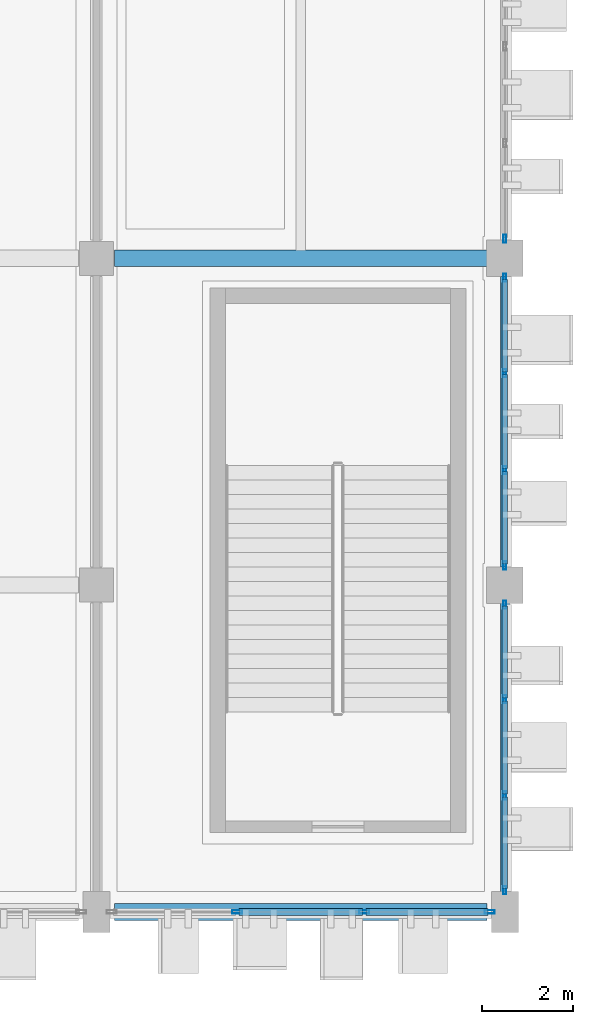
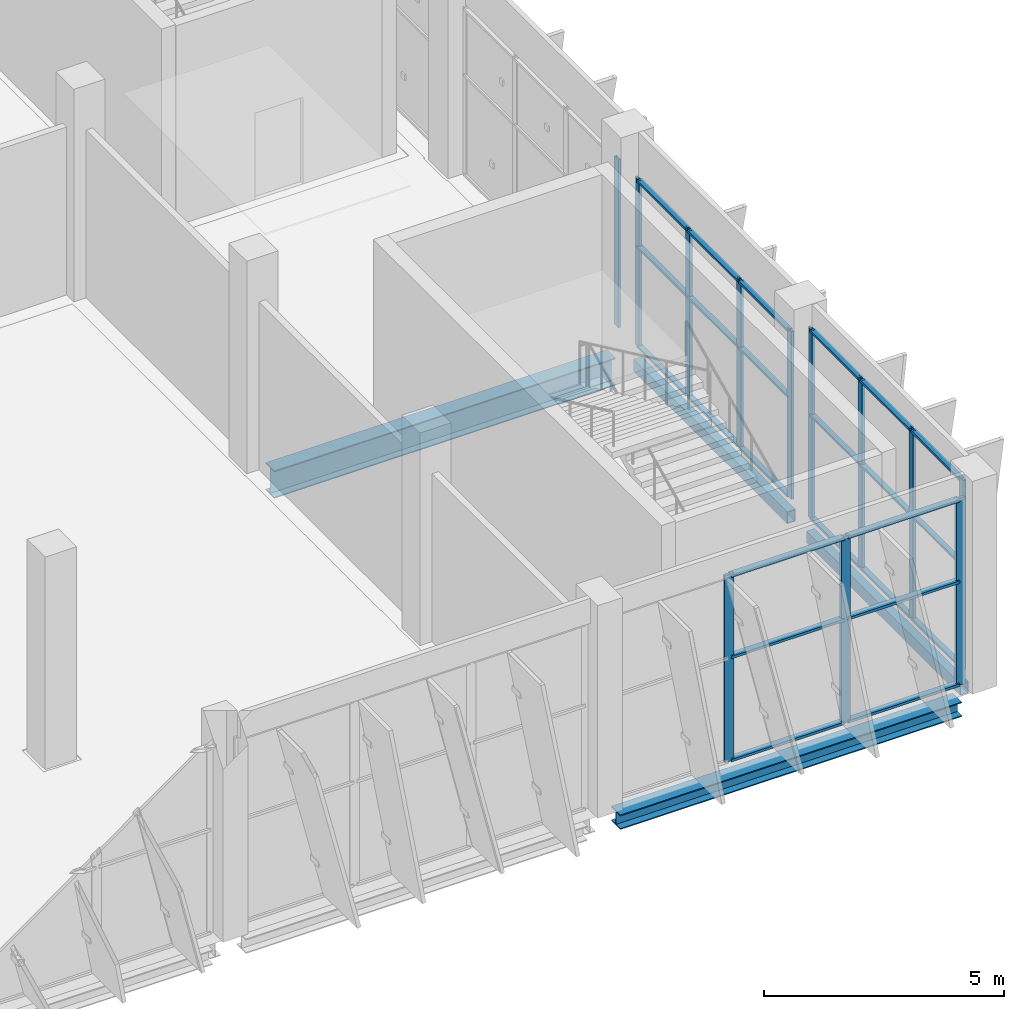
# One storey, part 48 of 137: 36 members, 4 beams, 4 elements without a shape of their own.
"""IFC4 building model written with IfcOpenShell, lengths in metres."""

import ifcopenshell
import ifcopenshell.guid

model = None  # the IFC model being written
_history = None  # IfcOwnerHistory: only IFC2X3 demands one
_inside = {}  # id of a spatial element -> (the spatial element, [elements in it])
_under = {}  # id of a project, library or spatial element -> (it, [spatial elements below it])
_declared = {}  # id of a project -> (the project, [libraries it declares])
_typed = {}  # id of a type object -> (the type object, [elements of that type])
_made_of = {}  # id of a material, layer set ... -> (it, [elements and type objects made of it])


def new_model(schema):
    """Start an empty IFC model of exactly this schema.

    Asked for "IFC4X3", IfcOpenShell would pick the latest addendum, in which some entities
    have other attributes; the version numbers below select the first issue.
    IFC2X3 requires an IfcOwnerHistory on every rooted entity: one is made here for all.
    """
    global model, _history
    if schema == "IFC4X3":
        model = ifcopenshell.file(schema_version=(4, 3, 0, 0))
    else:
        model = ifcopenshell.file(schema=schema)
    _inside.clear()
    _under.clear()
    _declared.clear()
    _typed.clear()
    _made_of.clear()
    _history = None
    if model.schema == "IFC2X3":
        org = make("IfcOrganization", Name="unknown")
        user = make(
            "IfcPersonAndOrganization",
            ThePerson=make("IfcPerson", FamilyName="unknown"),
            TheOrganization=org,
        )
        app = make(
            "IfcApplication",
            ApplicationDeveloper=org,
            Version="unknown",
            ApplicationFullName="unknown",
            ApplicationIdentifier="unknown",
        )
        _history = make(
            "IfcOwnerHistory",
            OwningUser=user,
            OwningApplication=app,
            ChangeAction="ADDED",
            CreationDate=0,
        )
    return model


def make(cls, **values):
    """One entity of the class cls with the attributes given. An attribute that is None is left unset."""
    return model.create_entity(
        cls, **{name: value for name, value in values.items() if value is not None}
    )


def rooted(cls, **values):
    """An entity with a GlobalId (a new one), such as an element, a storey or a relation."""
    return make(cls, GlobalId=ifcopenshell.guid.new(), OwnerHistory=_history, **values)


def si_unit(unit_type, name, prefix=None):
    """IfcSIUnit, for example si_unit("LENGTHUNIT", "METRE", prefix="MILLI")."""
    return make("IfcSIUnit", UnitType=unit_type, Prefix=prefix, Name=name)


def assignment(units):
    """IfcUnitAssignment: the units of a project."""
    return None if units is None else make("IfcUnitAssignment", Units=units)


def point(xyz):
    """IfcCartesianPoint."""
    return None if xyz is None else make("IfcCartesianPoint", Coordinates=xyz)


def direction(xyz):
    """IfcDirection."""
    return None if xyz is None else make("IfcDirection", DirectionRatios=xyz)


def frame(location, z_axis=None, x_axis=None):
    """IfcAxis2Placement3D, a coordinate frame: its origin and axes. An axis left out is left unset."""
    return make(
        "IfcAxis2Placement3D",
        Location=point(location),
        Axis=direction(z_axis),
        RefDirection=direction(x_axis),
    )


def frame_2d(location, x_axis=None):
    """IfcAxis2Placement2D, a coordinate frame in the plane: its origin and x axis."""
    return make(
        "IfcAxis2Placement2D", Location=point(location), RefDirection=direction(x_axis)
    )


def origin():
    """The frame at (0, 0, 0) with its axes left unset."""
    return frame((0.0, 0.0, 0.0))


def origin_2d():
    """The frame at (0, 0) in the plane with its x axis left unset."""
    return frame_2d((0.0, 0.0))


def place(relative_to, where):
    """IfcLocalPlacement: puts the frame where relative to a parent placement (None: the world)."""
    return make(
        "IfcLocalPlacement", PlacementRelTo=relative_to, RelativePlacement=where
    )


def context(
    kind, dimensions, precision=None, world=None, true_north=None, identifier=None
):
    """IfcGeometricRepresentationContext, for example the 3D "Model" context."""
    return make(
        "IfcGeometricRepresentationContext",
        ContextIdentifier=identifier,
        ContextType=kind,
        CoordinateSpaceDimension=dimensions,
        Precision=precision,
        WorldCoordinateSystem=world,
        TrueNorth=true_north,
    )


def subcontext(parent, identifier, kind, view, scale=None):
    """IfcGeometricRepresentationSubContext, for example "Body" below "Model"."""
    return make(
        "IfcGeometricRepresentationSubContext",
        ContextIdentifier=identifier,
        ContextType=kind,
        ParentContext=parent,
        TargetScale=scale,
        TargetView=view,
    )


def project(units=None, contexts=None):
    """IfcProject with its units and contexts."""
    return rooted(
        "IfcProject",
        Name="project",
        RepresentationContexts=contexts,
        UnitsInContext=assignment(units),
    )


def spatial(cls, under=None, at=None, **own):
    """A site, building, storey or space (cls), placed at a placement, below another one or the project."""
    s = rooted(cls, ObjectPlacement=at, **own)
    if under is not None:
        _under.setdefault(under.id(), (under, []))[1].append(s)
    return s


def profile(cls, at=None, kind="AREA", **sizes):
    """A parametric profile (cls). Its sizes go by their IFC names, for example OverallWidth=200.0."""
    return make(cls, ProfileType=kind, Position=at, **sizes)


def hollow_rectangle(**sizes):
    """IfcRectangleHollowProfileDef."""
    return profile("IfcRectangleHollowProfileDef", **sizes)


def i_section(**sizes):
    """IfcIShapeProfileDef."""
    return profile("IfcIShapeProfileDef", **sizes)


def extrude(swept, where, along, depth):
    """IfcExtrudedAreaSolid: the profile swept, set in the frame where, extruded along a direction by depth."""
    return make(
        "IfcExtrudedAreaSolid",
        SweptArea=swept,
        Position=where,
        ExtrudedDirection=direction(along),
        Depth=depth,
    )


def shape(context_of_items, identifier, shape_type, items):
    """IfcShapeRepresentation: the items that make up one representation, for example the "Body"."""
    return make(
        "IfcShapeRepresentation",
        ContextOfItems=context_of_items,
        RepresentationIdentifier=identifier,
        RepresentationType=shape_type,
        Items=items,
    )


def material(Name=None, Category=None):
    """IfcMaterial."""
    return make("IfcMaterial", Name=Name, Category=Category)


def layer(
    of_material, thickness, ventilated=None, Name=None, Category=None, Priority=None
):
    """IfcMaterialLayer: one layer of a wall or slab, of a material (None: an air gap)."""
    return make(
        "IfcMaterialLayer",
        Material=of_material,
        LayerThickness=thickness,
        IsVentilated=ventilated,
        Name=Name,
        Category=Category,
        Priority=Priority,
    )


def layer_set(layers, Name=None):
    """IfcMaterialLayerSet."""
    return make("IfcMaterialLayerSet", MaterialLayers=layers, LayerSetName=Name)


def material_profile(
    of_material, cross_section, Name=None, Category=None, Priority=None
):
    """IfcMaterialProfile: a cross section and its material."""
    return make(
        "IfcMaterialProfile",
        Name=Name,
        Material=of_material,
        Profile=cross_section,
        Priority=Priority,
        Category=Category,
    )


def profile_set(profiles, Name=None, composite=None):
    """IfcMaterialProfileSet."""
    return make(
        "IfcMaterialProfileSet",
        Name=Name,
        MaterialProfiles=profiles,
        CompositeProfile=composite,
    )


def made_of(thing, what):
    """Note that an element or type object is made of a material, layer set ...; save() writes the relation."""
    if what is not None:
        _made_of.setdefault(what.id(), (what, []))[1].append(thing)
    return thing


def type_object(cls, material=None, **own):
    """A type object (cls), such as IfcWallType, which elements share."""
    return made_of(rooted(cls, **own), material)


def element(
    cls,
    number,
    at=None,
    inside=None,
    cuts=None,
    type_object=None,
    material=None,
    context=None,
    identifier="Body",
    shape_type=None,
    held_by="IfcProductDefinitionShape",
    body=None,
    shapes=None,
    **own,
):
    """One element of the class cls, such as IfcWall. Its Tag is "e" and its number.

    at: its placement. inside: the storey or other place that contains it. cuts: it is an
    opening in that element (IfcRelVoidsElement). A single representation is given by context,
    identifier, shape_type and body (its items); several are given by shapes. held_by: the class
    of the entity that holds the representations. save() writes the other relations.
    """
    e = rooted(cls, Tag="e%d" % number, ObjectPlacement=at, **own)
    if body is not None:
        shapes = [shape(context, identifier, shape_type, body)]
    if shapes is not None:
        e.Representation = make(held_by, Representations=shapes)
    if inside is not None:
        _inside.setdefault(inside.id(), (inside, []))[1].append(e)
    if cuts is not None:
        rooted(
            "IfcRelVoidsElement", RelatingBuildingElement=cuts, RelatedOpeningElement=e
        )
    if type_object is not None:
        _typed.setdefault(type_object.id(), (type_object, []))[1].append(e)
    return made_of(e, material)


def aggregate(whole, parts):
    """IfcRelAggregates: a whole, such as a stair, and the parts it consists of."""
    return rooted("IfcRelAggregates", RelatingObject=whole, RelatedObjects=parts)


def save(model, path):
    """Write the relations noted so far, then the file.

    IfcRelAggregates (storeys below a building ...), IfcRelContainedInSpatialStructure (elements
    in a storey), IfcRelDefinesByType, IfcRelAssociatesMaterial and IfcRelDeclares: one each for
    every whole, place, type object, material and project.
    """
    for whole, parts in _under.values():
        aggregate(whole, parts)
    for where, things in _inside.values():
        rooted(
            "IfcRelContainedInSpatialStructure",
            RelatedElements=things,
            RelatingStructure=where,
        )
    for kind, things in _typed.values():
        rooted("IfcRelDefinesByType", RelatedObjects=things, RelatingType=kind)
    for what, things in _made_of.values():
        rooted("IfcRelAssociatesMaterial", RelatedObjects=things, RelatingMaterial=what)
    for by, libraries in _declared.values():
        rooted("IfcRelDeclares", RelatingContext=by, RelatedDefinitions=libraries)
    model.write(path)


model = new_model("IFC4")

# Units and contexts
model_context = context("Model", 3, precision=1e-05, world=origin(), true_north=direction((0.0, 1.0)))
body_context = subcontext(model_context, "Body", "Model", "MODEL_VIEW")
ifc_project = project(units=[si_unit("LENGTHUNIT", "METRE"), si_unit("AREAUNIT", "SQUARE_METRE"), si_unit("VOLUMEUNIT", "CUBIC_METRE"), si_unit("PLANEANGLEUNIT", "RADIAN"), si_unit("MASSUNIT", "GRAM", prefix="KILO")], contexts=[model_context])

# Site, building, storey
site_placement = place(None, origin())
site = spatial("IfcSite", under=ifc_project, at=site_placement, CompositionType="ELEMENT")
building_placement = place(site_placement, origin())
building = spatial("IfcBuilding", under=site, at=building_placement, Name="Celestram Park Convention Centre", CompositionType="ELEMENT")
storey_placement = place(building_placement, origin())
storey = spatial("IfcBuildingStorey", under=building, at=storey_placement, Name="L00", CompositionType="ELEMENT", Elevation=0.0)

# Curtain wall, member
ifc_material_1 = material(Name="Anodised Aluminium Alloy 6063-T6", Category="aluminium")
ifc_layer_1 = layer(ifc_material_1, 0.179931640625)
ifc_layer_set_1 = layer_set([ifc_layer_1], Name="Anodised Aluminium Alloy 6063-T6")
curtain_wall_type_1 = type_object("IfcCurtainWallType", Name="ARC-CW-640X426", PredefinedType="NOTDEFINED", material=ifc_layer_set_1)
curtain_wall_1_placement = place(storey_placement, origin())
curtain_wall_1 = element("IfcCurtainWall", 1, at=curtain_wall_1_placement, inside=storey, type_object=curtain_wall_type_1, Name="Unitised curtain wall CU-L00-023", PredefinedType="NOTDEFINED")
ifc_material_profile_1 = material_profile(ifc_material_1, hollow_rectangle(XDim=0.06494140625, YDim=0.179931640625, WallThickness=0.00390625, at=origin_2d()), Name="ALU65X180X4")
ifc_profile_set_1 = profile_set([ifc_material_profile_1], Name="Anodised Aluminium Alloy 6063-T6")
member_type_1 = type_object("IfcMemberType", Name="ARC-CWM-150", PredefinedType="MULLION", material=ifc_profile_set_1)
member_1_placement = place(storey_placement, frame((216.0, 14.83056640625, 0.0), z_axis=(0.0, 0.0, 1.0), x_axis=(1.0, 0.0, 0.0)))
member_1 = element("IfcMember", 2, at=member_1_placement, type_object=member_type_1, Name="CW-64X42 mullion 4", PredefinedType="MULLION", context=body_context, shape_type="SweptSolid", body=[
    extrude(hollow_rectangle(XDim=0.06494140625, YDim=0.179931640625, WallThickness=0.00390625, at=origin_2d()), origin(), (0.0, 0.0, 1.0), 4.263916015625),
])
aggregate(curtain_wall_1, [member_1])

# Curtain wall, members
curtain_wall_2_placement = place(storey_placement, origin())
curtain_wall_2 = element("IfcCurtainWall", 3, at=curtain_wall_2_placement, inside=storey, type_object=curtain_wall_type_1, Name="Unitised curtain wall CU-L00-024", PredefinedType="NOTDEFINED")
member_2_placement = place(storey_placement, frame((216.0, 13.969482421875, 0.0), z_axis=(0.0, 0.0, 1.0), x_axis=(1.0, 0.0, 0.0)))
member_2 = element("IfcMember", 4, at=member_2_placement, type_object=member_type_1, Name="CW-64X42 mullion 1", PredefinedType="MULLION", context=body_context, shape_type="SweptSolid", body=[
    extrude(hollow_rectangle(XDim=0.06494140625, YDim=0.179931640625, WallThickness=0.00390625, at=origin_2d()), origin(), (0.0, 0.0, 1.0), 4.263916015625),
])
member_3_placement = place(storey_placement, frame((216.0, 11.867431640625, 0.0), z_axis=(0.0, 0.0, 1.0), x_axis=(1.0, 0.0, 0.0)))
member_3 = element("IfcMember", 5, at=member_3_placement, type_object=member_type_1, Name="CW-64X42 mullion 2", PredefinedType="MULLION", context=body_context, shape_type="SweptSolid", body=[
    extrude(hollow_rectangle(XDim=0.06494140625, YDim=0.179931640625, WallThickness=0.00390625, at=origin_2d()), origin(), (0.0, 0.0, 1.0), 4.263916015625),
])
member_4_placement = place(storey_placement, frame((216.0, 9.732666015625, 0.0), z_axis=(0.0, 0.0, 1.0), x_axis=(1.0, 0.0, 0.0)))
member_4 = element("IfcMember", 6, at=member_4_placement, type_object=member_type_1, Name="CW-64X42 mullion 3", PredefinedType="MULLION", context=body_context, shape_type="SweptSolid", body=[
    extrude(hollow_rectangle(XDim=0.06494140625, YDim=0.179931640625, WallThickness=0.00390625, at=origin_2d()), origin(), (0.0, 0.0, 1.0), 4.263916015625),
])
member_5_placement = place(storey_placement, frame((216.0, 7.630615234375, 0.0), z_axis=(0.0, 0.0, 1.0), x_axis=(1.0, 0.0, 0.0)))
member_5 = element("IfcMember", 7, at=member_5_placement, type_object=member_type_1, Name="CW-64X42 mullion 4", PredefinedType="MULLION", context=body_context, shape_type="SweptSolid", body=[
    extrude(hollow_rectangle(XDim=0.06494140625, YDim=0.179931640625, WallThickness=0.00390625, at=origin_2d()), origin(), (0.0, 0.0, 1.0), 4.263916015625),
])

ifc_layer_2 = layer(ifc_material_1, 0.179931640625)
ifc_layer_set_2 = layer_set([ifc_layer_2], Name="Anodised Aluminium Alloy 6063-T6")
curtain_wall_type_2 = type_object("IfcCurtainWallType", Name="ARC-CW-635X482", PredefinedType="NOTDEFINED", material=ifc_layer_set_2)
curtain_wall_3_placement = place(storey_placement, origin())
curtain_wall_3 = element("IfcCurtainWall", 8, at=curtain_wall_3_placement, inside=storey, type_object=curtain_wall_type_2, Name="Unitised curtain wall CU-L00-025", PredefinedType="NOTDEFINED")
member_6_placement = place(storey_placement, frame((216.0, 6.76953125, 0.0), z_axis=(0.0, 0.0, 1.0), x_axis=(1.0, 0.0, 0.0)))
member_6 = element("IfcMember", 9, at=member_6_placement, type_object=member_type_1, Name="CW-63X48 mullion 1", PredefinedType="MULLION", context=body_context, shape_type="SweptSolid", body=[
    extrude(hollow_rectangle(XDim=0.06494140625, YDim=0.179931640625, WallThickness=0.00390625, at=origin_2d()), origin(), (0.0, 0.0, 1.0), 4.820068359375),
])
member_7_placement = place(storey_placement, frame((216.0, 4.68408203125, 0.0), z_axis=(0.0, 0.0, 1.0), x_axis=(1.0, 0.0, 0.0)))
member_7 = element("IfcMember", 10, at=member_7_placement, type_object=member_type_1, Name="CW-63X48 mullion 2", PredefinedType="MULLION", context=body_context, shape_type="SweptSolid", body=[
    extrude(hollow_rectangle(XDim=0.06494140625, YDim=0.179931640625, WallThickness=0.00390625, at=origin_2d()), origin(), (0.0, 0.0, 1.0), 4.820068359375),
])
member_8_placement = place(storey_placement, frame((216.0, 2.56591796875, 0.0), z_axis=(0.0, 0.0, 1.0), x_axis=(1.0, 0.0, 0.0)))
member_8 = element("IfcMember", 11, at=member_8_placement, type_object=member_type_1, Name="CW-63X48 mullion 3", PredefinedType="MULLION", context=body_context, shape_type="SweptSolid", body=[
    extrude(hollow_rectangle(XDim=0.06494140625, YDim=0.179931640625, WallThickness=0.00390625, at=origin_2d()), origin(), (0.0, 0.0, 1.0), 4.820068359375),
])
member_9_placement = place(storey_placement, frame((216.0, 0.48046875, 0.0), z_axis=(0.0, 0.0, 1.0), x_axis=(1.0, 0.0, 0.0)))
member_9 = element("IfcMember", 12, at=member_9_placement, type_object=member_type_1, Name="CW-63X48 mullion 4", PredefinedType="MULLION", context=body_context, shape_type="SweptSolid", body=[
    extrude(hollow_rectangle(XDim=0.06494140625, YDim=0.179931640625, WallThickness=0.00390625, at=origin_2d()), origin(), (0.0, 0.0, 1.0), 4.820068359375),
])

ifc_layer_3 = layer(ifc_material_1, 0.179931640625)
ifc_layer_set_3 = layer_set([ifc_layer_3], Name="Anodised Aluminium Alloy 6063-T6")
curtain_wall_type_3 = type_object("IfcCurtainWallType", Name="ARC-CW-840X475", PredefinedType="NOTDEFINED", material=ifc_layer_set_3)
curtain_wall_4_placement = place(storey_placement, origin())
curtain_wall_4 = element("IfcCurtainWall", 13, at=curtain_wall_4_placement, inside=storey, type_object=curtain_wall_type_3, Name="Unitised curtain wall CU-L00-026", PredefinedType="NOTDEFINED")
ifc_material_profile_2 = material_profile(ifc_material_1, hollow_rectangle(XDim=0.074951171875, YDim=0.219970703125, WallThickness=0.00390625, at=origin_2d()), Name="ALU75X220X4")
ifc_profile_set_2 = profile_set([ifc_material_profile_2], Name="Anodised Aluminium Alloy 6063-T6")
member_type_2 = type_object("IfcMemberType", Name="ARC-CWM-180", PredefinedType="MULLION", material=ifc_profile_set_2)
member_10_placement = place(storey_placement, frame((215.66455078125, 0.0, 0.0), z_axis=(0.0, 0.0, 1.0), x_axis=(0.0, -1.0, 0.0)))
member_10 = element("IfcMember", 14, at=member_10_placement, type_object=member_type_2, Name="CW-84X47 mullion 1", PredefinedType="MULLION", context=body_context, shape_type="SweptSolid", body=[
    extrude(hollow_rectangle(XDim=0.074951171875, YDim=0.219970703125, WallThickness=0.00390625, at=origin_2d()), origin(), (0.0, 0.0, 1.0), 4.7470703125),
])
member_11_placement = place(storey_placement, frame((212.900634765625, 0.0, 0.0), z_axis=(0.0, 0.0, 1.0), x_axis=(0.0, -1.0, 0.0)))
member_11 = element("IfcMember", 15, at=member_11_placement, type_object=member_type_2, Name="CW-84X47 mullion 2", PredefinedType="MULLION", context=body_context, shape_type="SweptSolid", body=[
    extrude(hollow_rectangle(XDim=0.074951171875, YDim=0.219970703125, WallThickness=0.00390625, at=origin_2d()), origin(), (0.0, 0.0, 1.0), 4.7470703125),
])
member_12_placement = place(storey_placement, frame((210.099365234375, 0.0, 0.0), z_axis=(0.0, 0.0, 1.0), x_axis=(0.0, -1.0, 0.0)))
member_12 = element("IfcMember", 16, at=member_12_placement, type_object=member_type_2, Name="CW-84X47 mullion 3", PredefinedType="MULLION", context=body_context, shape_type="SweptSolid", body=[
    extrude(hollow_rectangle(XDim=0.074951171875, YDim=0.219970703125, WallThickness=0.00390625, at=origin_2d()), origin(), (0.0, 0.0, 1.0), 4.7470703125),
])

# Member
ifc_material_profile_3 = material_profile(ifc_material_1, hollow_rectangle(XDim=0.1201171875, YDim=0.06005859375, WallThickness=0.0029296875, at=origin_2d()), Name="ALU120X60X3")
ifc_profile_set_3 = profile_set([ifc_material_profile_3], Name="Anodised Aluminium Alloy 6063-T6")
member_type_3 = type_object("IfcMemberType", Name="ARC-CWT-120", PredefinedType="USERDEFINED", material=ifc_profile_set_3)
member_13_placement = place(storey_placement, frame((216.0, 13.93701171875, 0.030029296875), z_axis=(0.0, -1.0, 0.0), x_axis=(1.0, 0.0, 0.0)))
member_13 = element("IfcMember", 17, at=member_13_placement, type_object=member_type_3, Name="CW-64X42 transom 1.1", ObjectType="TRANSOM", PredefinedType="USERDEFINED", context=body_context, shape_type="SweptSolid", body=[
    extrude(hollow_rectangle(XDim=0.1201171875, YDim=0.06005859375, WallThickness=0.0029296875, at=origin_2d()), origin(), (0.0, 0.0, 1.0), 2.037109375),
])

member_14_placement = place(storey_placement, frame((216.0, 13.93701171875, 2.55810546875), z_axis=(0.0, -1.0, 0.0), x_axis=(1.0, 0.0, 0.0)))
member_14 = element("IfcMember", 18, at=member_14_placement, type_object=member_type_3, Name="CW-64X42 transom 1.2", ObjectType="TRANSOM", PredefinedType="USERDEFINED", context=body_context, shape_type="SweptSolid", body=[
    extrude(hollow_rectangle(XDim=0.1201171875, YDim=0.06005859375, WallThickness=0.0029296875, at=origin_2d()), origin(), (0.0, 0.0, 1.0), 2.037109375),
])

member_15_placement = place(storey_placement, frame((216.0, 13.93701171875, 4.23388671875), z_axis=(0.0, -1.0, 0.0), x_axis=(1.0, 0.0, 0.0)))
member_15 = element("IfcMember", 19, at=member_15_placement, type_object=member_type_3, Name="CW-64X42 transom 1.3", ObjectType="TRANSOM", PredefinedType="USERDEFINED", context=body_context, shape_type="SweptSolid", body=[
    extrude(hollow_rectangle(XDim=0.1201171875, YDim=0.06005859375, WallThickness=0.0029296875, at=origin_2d()), origin(), (0.0, 0.0, 1.0), 2.037109375),
])

member_16_placement = place(storey_placement, frame((216.0, 11.834716796875, 0.030029296875), z_axis=(0.0, -1.0, 0.0), x_axis=(1.0, 0.0, 0.0)))
member_16 = element("IfcMember", 20, at=member_16_placement, type_object=member_type_3, Name="CW-64X42 transom 2.1", ObjectType="TRANSOM", PredefinedType="USERDEFINED", context=body_context, shape_type="SweptSolid", body=[
    extrude(hollow_rectangle(XDim=0.1201171875, YDim=0.06005859375, WallThickness=0.0029296875, at=origin_2d()), origin(), (0.0, 0.0, 1.0), 2.069580078125),
])

member_17_placement = place(storey_placement, frame((216.0, 11.834716796875, 2.55810546875), z_axis=(0.0, -1.0, 0.0), x_axis=(1.0, 0.0, 0.0)))
member_17 = element("IfcMember", 21, at=member_17_placement, type_object=member_type_3, Name="CW-64X42 transom 2.2", ObjectType="TRANSOM", PredefinedType="USERDEFINED", context=body_context, shape_type="SweptSolid", body=[
    extrude(hollow_rectangle(XDim=0.1201171875, YDim=0.06005859375, WallThickness=0.0029296875, at=origin_2d()), origin(), (0.0, 0.0, 1.0), 2.069580078125),
])

member_18_placement = place(storey_placement, frame((216.0, 11.834716796875, 4.23388671875), z_axis=(0.0, -1.0, 0.0), x_axis=(1.0, 0.0, 0.0)))
member_18 = element("IfcMember", 22, at=member_18_placement, type_object=member_type_3, Name="CW-64X42 transom 2.3", ObjectType="TRANSOM", PredefinedType="USERDEFINED", context=body_context, shape_type="SweptSolid", body=[
    extrude(hollow_rectangle(XDim=0.1201171875, YDim=0.06005859375, WallThickness=0.0029296875, at=origin_2d()), origin(), (0.0, 0.0, 1.0), 2.069580078125),
])

member_19_placement = place(storey_placement, frame((216.0, 9.7001953125, 0.030029296875), z_axis=(0.0, -1.0, 0.0), x_axis=(1.0, 0.0, 0.0)))
member_19 = element("IfcMember", 23, at=member_19_placement, type_object=member_type_3, Name="CW-64X42 transom 3.1", ObjectType="TRANSOM", PredefinedType="USERDEFINED", context=body_context, shape_type="SweptSolid", body=[
    extrude(hollow_rectangle(XDim=0.1201171875, YDim=0.06005859375, WallThickness=0.0029296875, at=origin_2d()), origin(), (0.0, 0.0, 1.0), 2.037109375),
])

member_20_placement = place(storey_placement, frame((216.0, 9.7001953125, 2.55810546875), z_axis=(0.0, -1.0, 0.0), x_axis=(1.0, 0.0, 0.0)))
member_20 = element("IfcMember", 24, at=member_20_placement, type_object=member_type_3, Name="CW-64X42 transom 3.2", ObjectType="TRANSOM", PredefinedType="USERDEFINED", context=body_context, shape_type="SweptSolid", body=[
    extrude(hollow_rectangle(XDim=0.1201171875, YDim=0.06005859375, WallThickness=0.0029296875, at=origin_2d()), origin(), (0.0, 0.0, 1.0), 2.037109375),
])

member_21_placement = place(storey_placement, frame((216.0, 9.7001953125, 4.23388671875), z_axis=(0.0, -1.0, 0.0), x_axis=(1.0, 0.0, 0.0)))
member_21 = element("IfcMember", 25, at=member_21_placement, type_object=member_type_3, Name="CW-64X42 transom 3.3", ObjectType="TRANSOM", PredefinedType="USERDEFINED", context=body_context, shape_type="SweptSolid", body=[
    extrude(hollow_rectangle(XDim=0.1201171875, YDim=0.06005859375, WallThickness=0.0029296875, at=origin_2d()), origin(), (0.0, 0.0, 1.0), 2.037109375),
])

aggregate(curtain_wall_2, [member_2, member_3, member_4, member_5, member_13, member_14, member_15, member_16, member_17, member_18, member_19, member_20, member_21])

member_22_placement = place(storey_placement, frame((216.0, 6.737060546875, 0.030029296875), z_axis=(0.0, -1.0, 0.0), x_axis=(1.0, 0.0, 0.0)))
member_22 = element("IfcMember", 26, at=member_22_placement, type_object=member_type_3, Name="CW-63X48 transom 1.1", ObjectType="TRANSOM", PredefinedType="USERDEFINED", context=body_context, shape_type="SweptSolid", body=[
    extrude(hollow_rectangle(XDim=0.1201171875, YDim=0.06005859375, WallThickness=0.0029296875, at=origin_2d()), origin(), (0.0, 0.0, 1.0), 2.0205078125),
])

member_23_placement = place(storey_placement, frame((216.0, 6.737060546875, 2.64990234375), z_axis=(0.0, -1.0, 0.0), x_axis=(1.0, 0.0, 0.0)))
member_23 = element("IfcMember", 27, at=member_23_placement, type_object=member_type_3, Name="CW-63X48 transom 1.2", ObjectType="TRANSOM", PredefinedType="USERDEFINED", context=body_context, shape_type="SweptSolid", body=[
    extrude(hollow_rectangle(XDim=0.1201171875, YDim=0.06005859375, WallThickness=0.0029296875, at=origin_2d()), origin(), (0.0, 0.0, 1.0), 2.0205078125),
])

member_24_placement = place(storey_placement, frame((216.0, 6.737060546875, 4.7900390625), z_axis=(0.0, -1.0, 0.0), x_axis=(1.0, 0.0, 0.0)))
member_24 = element("IfcMember", 28, at=member_24_placement, type_object=member_type_3, Name="CW-63X48 transom 1.3", ObjectType="TRANSOM", PredefinedType="USERDEFINED", context=body_context, shape_type="SweptSolid", body=[
    extrude(hollow_rectangle(XDim=0.1201171875, YDim=0.06005859375, WallThickness=0.0029296875, at=origin_2d()), origin(), (0.0, 0.0, 1.0), 2.0205078125),
])

member_25_placement = place(storey_placement, frame((216.0, 4.651611328125, 0.030029296875), z_axis=(0.0, -1.0, 0.0), x_axis=(1.0, 0.0, 0.0)))
member_25 = element("IfcMember", 29, at=member_25_placement, type_object=member_type_3, Name="CW-63X48 transom 2.1", ObjectType="TRANSOM", PredefinedType="USERDEFINED", context=body_context, shape_type="SweptSolid", body=[
    extrude(hollow_rectangle(XDim=0.1201171875, YDim=0.06005859375, WallThickness=0.0029296875, at=origin_2d()), origin(), (0.0, 0.0, 1.0), 2.05322265625),
])

member_26_placement = place(storey_placement, frame((216.0, 4.651611328125, 2.64990234375), z_axis=(0.0, -1.0, 0.0), x_axis=(1.0, 0.0, 0.0)))
member_26 = element("IfcMember", 30, at=member_26_placement, type_object=member_type_3, Name="CW-63X48 transom 2.2", ObjectType="TRANSOM", PredefinedType="USERDEFINED", context=body_context, shape_type="SweptSolid", body=[
    extrude(hollow_rectangle(XDim=0.1201171875, YDim=0.06005859375, WallThickness=0.0029296875, at=origin_2d()), origin(), (0.0, 0.0, 1.0), 2.05322265625),
])

member_27_placement = place(storey_placement, frame((216.0, 4.651611328125, 4.7900390625), z_axis=(0.0, -1.0, 0.0), x_axis=(1.0, 0.0, 0.0)))
member_27 = element("IfcMember", 31, at=member_27_placement, type_object=member_type_3, Name="CW-63X48 transom 2.3", ObjectType="TRANSOM", PredefinedType="USERDEFINED", context=body_context, shape_type="SweptSolid", body=[
    extrude(hollow_rectangle(XDim=0.1201171875, YDim=0.06005859375, WallThickness=0.0029296875, at=origin_2d()), origin(), (0.0, 0.0, 1.0), 2.05322265625),
])

member_28_placement = place(storey_placement, frame((216.0, 2.533447265625, 0.030029296875), z_axis=(0.0, -1.0, 0.0), x_axis=(1.0, 0.0, 0.0)))
member_28 = element("IfcMember", 32, at=member_28_placement, type_object=member_type_3, Name="CW-63X48 transom 3.1", ObjectType="TRANSOM", PredefinedType="USERDEFINED", context=body_context, shape_type="SweptSolid", body=[
    extrude(hollow_rectangle(XDim=0.1201171875, YDim=0.06005859375, WallThickness=0.0029296875, at=origin_2d()), origin(), (0.0, 0.0, 1.0), 2.0205078125),
])

member_29_placement = place(storey_placement, frame((216.0, 2.533447265625, 2.64990234375), z_axis=(0.0, -1.0, 0.0), x_axis=(1.0, 0.0, 0.0)))
member_29 = element("IfcMember", 33, at=member_29_placement, type_object=member_type_3, Name="CW-63X48 transom 3.2", ObjectType="TRANSOM", PredefinedType="USERDEFINED", context=body_context, shape_type="SweptSolid", body=[
    extrude(hollow_rectangle(XDim=0.1201171875, YDim=0.06005859375, WallThickness=0.0029296875, at=origin_2d()), origin(), (0.0, 0.0, 1.0), 2.0205078125),
])

member_30_placement = place(storey_placement, frame((216.0, 2.533447265625, 4.7900390625), z_axis=(0.0, -1.0, 0.0), x_axis=(1.0, 0.0, 0.0)))
member_30 = element("IfcMember", 34, at=member_30_placement, type_object=member_type_3, Name="CW-63X48 transom 3.3", ObjectType="TRANSOM", PredefinedType="USERDEFINED", context=body_context, shape_type="SweptSolid", body=[
    extrude(hollow_rectangle(XDim=0.1201171875, YDim=0.06005859375, WallThickness=0.0029296875, at=origin_2d()), origin(), (0.0, 0.0, 1.0), 2.0205078125),
])

aggregate(curtain_wall_3, [member_6, member_7, member_8, member_9, member_22, member_23, member_24, member_25, member_26, member_27, member_28, member_29, member_30])

ifc_material_profile_4 = material_profile(ifc_material_1, hollow_rectangle(XDim=0.14990234375, YDim=0.06494140625, WallThickness=0.0029296875, at=origin_2d()), Name="ALU150X65X3")
ifc_profile_set_4 = profile_set([ifc_material_profile_4], Name="Anodised Aluminium Alloy 6063-T6")
member_type_4 = type_object("IfcMemberType", Name="ARC-CWT-150", PredefinedType="USERDEFINED", material=ifc_profile_set_4)
member_31_placement = place(storey_placement, frame((215.626953125, 0.0, 0.032470703125), z_axis=(-1.0, 0.0, 0.0), x_axis=(0.0, -1.0, 0.0)))
member_31 = element("IfcMember", 35, at=member_31_placement, type_object=member_type_4, Name="CW-84X47 transom 1.1", ObjectType="TRANSOM", PredefinedType="USERDEFINED", context=body_context, shape_type="SweptSolid", body=[
    extrude(hollow_rectangle(XDim=0.14990234375, YDim=0.06494140625, WallThickness=0.0029296875, at=origin_2d()), origin(), (0.0, 0.0, 1.0), 2.688720703125),
])

member_32_placement = place(storey_placement, frame((215.626953125, 0.0, 2.64990234375), z_axis=(-1.0, 0.0, 0.0), x_axis=(0.0, -1.0, 0.0)))
member_32 = element("IfcMember", 36, at=member_32_placement, type_object=member_type_4, Name="CW-84X47 transom 1.2", ObjectType="TRANSOM", PredefinedType="USERDEFINED", context=body_context, shape_type="SweptSolid", body=[
    extrude(hollow_rectangle(XDim=0.14990234375, YDim=0.06494140625, WallThickness=0.0029296875, at=origin_2d()), origin(), (0.0, 0.0, 1.0), 2.688720703125),
])

member_33_placement = place(storey_placement, frame((215.626953125, 0.0, 4.714599609375), z_axis=(-1.0, 0.0, 0.0), x_axis=(0.0, -1.0, 0.0)))
member_33 = element("IfcMember", 37, at=member_33_placement, type_object=member_type_4, Name="CW-84X47 transom 1.3", ObjectType="TRANSOM", PredefinedType="USERDEFINED", context=body_context, shape_type="SweptSolid", body=[
    extrude(hollow_rectangle(XDim=0.14990234375, YDim=0.06494140625, WallThickness=0.0029296875, at=origin_2d()), origin(), (0.0, 0.0, 1.0), 2.688720703125),
])

member_34_placement = place(storey_placement, frame((212.86328125, 0.0, 0.032470703125), z_axis=(-1.0, 0.0, 0.0), x_axis=(0.0, -1.0, 0.0)))
member_34 = element("IfcMember", 38, at=member_34_placement, type_object=member_type_4, Name="CW-84X47 transom 2.1", ObjectType="TRANSOM", PredefinedType="USERDEFINED", context=body_context, shape_type="SweptSolid", body=[
    extrude(hollow_rectangle(XDim=0.14990234375, YDim=0.06494140625, WallThickness=0.0029296875, at=origin_2d()), origin(), (0.0, 0.0, 1.0), 2.7265625),
])

member_35_placement = place(storey_placement, frame((212.86328125, 0.0, 2.64990234375), z_axis=(-1.0, 0.0, 0.0), x_axis=(0.0, -1.0, 0.0)))
member_35 = element("IfcMember", 39, at=member_35_placement, type_object=member_type_4, Name="CW-84X47 transom 2.2", ObjectType="TRANSOM", PredefinedType="USERDEFINED", context=body_context, shape_type="SweptSolid", body=[
    extrude(hollow_rectangle(XDim=0.14990234375, YDim=0.06494140625, WallThickness=0.0029296875, at=origin_2d()), origin(), (0.0, 0.0, 1.0), 2.7265625),
])

member_36_placement = place(storey_placement, frame((212.86328125, 0.0, 4.714599609375), z_axis=(-1.0, 0.0, 0.0), x_axis=(0.0, -1.0, 0.0)))
member_36 = element("IfcMember", 40, at=member_36_placement, type_object=member_type_4, Name="CW-84X47 transom 2.3", ObjectType="TRANSOM", PredefinedType="USERDEFINED", context=body_context, shape_type="SweptSolid", body=[
    extrude(hollow_rectangle(XDim=0.14990234375, YDim=0.06494140625, WallThickness=0.0029296875, at=origin_2d()), origin(), (0.0, 0.0, 1.0), 2.7265625),
])

aggregate(curtain_wall_4, [member_10, member_11, member_12, member_31, member_32, member_33, member_34, member_35, member_36])

# Beams
ifc_material_2 = material(Name="Steel ASTM A992 Grade 50", Category="steel")
ifc_material_profile_5 = material_profile(ifc_material_2, i_section(OverallWidth=0.35595703125, OverallDepth=0.696044921875, WebThickness=0.015380859375, FlangeThickness=0.02490234375, at=origin_2d()), Name="W27X146")
ifc_profile_set_5 = profile_set([ifc_material_profile_5], Name="Steel ASTM A992 Grade 50")
beam_type_1 = type_object("IfcBeamType", Name="STR-BM-W27X146", PredefinedType="BEAM", material=ifc_profile_set_5)
beam_1_placement = place(storey_placement, frame((207.39794921875, 14.39990234375, -0.66796875), z_axis=(1.0, 0.0, 0.0), x_axis=(0.0, 1.0, 0.0)))
element("IfcBeam", 41, at=beam_1_placement, inside=storey, type_object=beam_type_1, Name="Primary X-girder BG-L00-0850", PredefinedType="BEAM", context=body_context, shape_type="SweptSolid", body=[
    extrude(i_section(OverallWidth=0.35595703125, OverallDepth=0.696044921875, WebThickness=0.015380859375, FlangeThickness=0.02490234375, at=origin_2d()), origin(), (0.0, 0.0, 1.0), 8.2041015625),
])
ifc_material_3 = material(Name="Steel ASTM A500 Grade C", Category="steel")
ifc_material_profile_6 = material_profile(ifc_material_3, hollow_rectangle(XDim=0.199951171875, YDim=0.300048828125, WallThickness=0.011962890625, at=origin_2d()), Name="HSS300X200X12")
ifc_profile_set_6 = profile_set([ifc_material_profile_6], Name="Steel ASTM A500 Grade C")
beam_type_2 = type_object("IfcBeamType", Name="STR-SPN-HSS300X200", PredefinedType="SPANDREL", material=ifc_profile_set_6)
for number, where, z_axis, x_axis, name in (
    (42, (216.0, 0.39794921875, -0.469970703125), (0.0, 1.0, 0.0), (-1.0, 0.0, 0.0), "Primary Y-girder BG-L00-0868"),
    (43, (216.0, 7.597900390625, -0.469970703125), (0.0, 1.0, 0.0), (-1.0, 0.0, 0.0), "Primary Y-girder BG-L00-0869"),
):
    element("IfcBeam", number, at=place(storey_placement, frame(where, z_axis=z_axis, x_axis=x_axis)), inside=storey, type_object=beam_type_2, Name=name, PredefinedType="SPANDREL", context=body_context, shape_type="SweptSolid", body=[
        extrude(hollow_rectangle(XDim=0.199951171875, YDim=0.300048828125, WallThickness=0.011962890625, at=origin_2d()), origin(), (0.0, 0.0, 1.0), 6.404052734375),
    ])
ifc_material_profile_7 = material_profile(ifc_material_2, i_section(OverallWidth=0.373046875, OverallDepth=0.373046875, WebThickness=0.016357421875, FlangeThickness=0.026123046875, at=origin_2d()), Name="W14X132")
ifc_profile_set_7 = profile_set([ifc_material_profile_7], Name="Steel ASTM A992 Grade 50")
beam_type_3 = type_object("IfcBeamType", Name="STR-SPN-W14X132", PredefinedType="SPANDREL", material=ifc_profile_set_7)
beam_2_placement = place(storey_placement, frame((207.39794921875, 0.0, -0.506591796875), z_axis=(1.0, 0.0, 0.0), x_axis=(0.0, 1.0, 0.0)))
element("IfcBeam", 44, at=beam_2_placement, inside=storey, type_object=beam_type_3, Name="Primary X-girder BG-L00-0847", PredefinedType="SPANDREL", context=body_context, shape_type="SweptSolid", body=[
    extrude(i_section(OverallWidth=0.373046875, OverallDepth=0.373046875, WebThickness=0.016357421875, FlangeThickness=0.026123046875, at=origin_2d()), origin(), (0.0, 0.0, 1.0), 8.2041015625),
])

save(model, "model.ifc")
